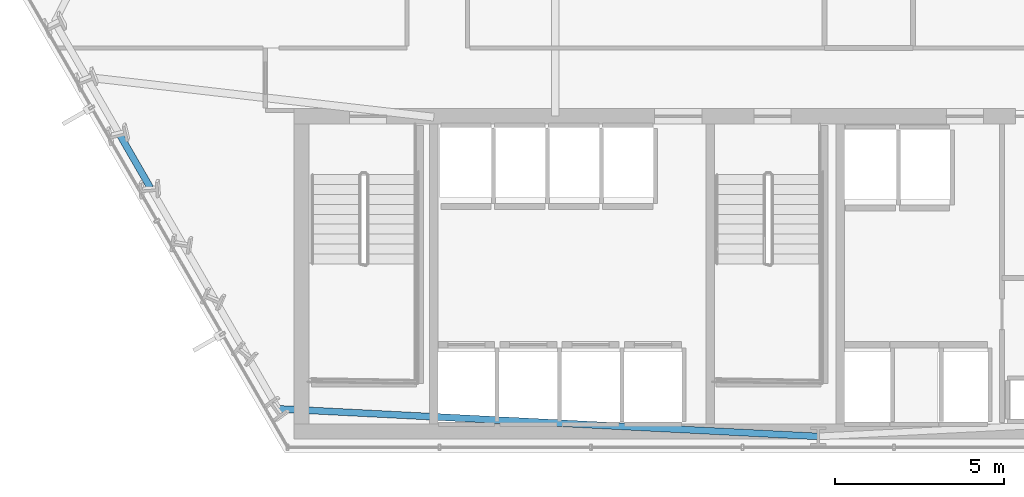
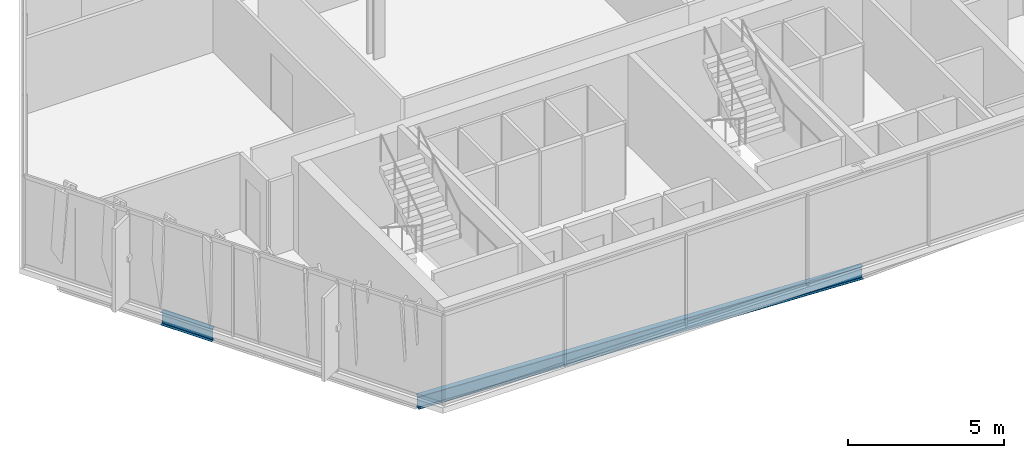
# One storey, part 4 of 32: 2 beams.
"""IFC4 building model written with IfcOpenShell, lengths in metres."""

from ifc_helpers import new_model, si_unit, direction, frame, origin, origin_2d, place, context, subcontext, project, spatial, i_section, extrude, material, material_profile, profile_set, type_object, element, save


model = new_model("IFC4")

# Units and contexts
model_context = context("Model", 3, precision=1e-05, world=origin(), true_north=direction((0.0, 1.0)))
body_context = subcontext(model_context, "Body", "Model", "MODEL_VIEW")
ifc_project = project(units=[si_unit("LENGTHUNIT", "METRE"), si_unit("AREAUNIT", "SQUARE_METRE"), si_unit("VOLUMEUNIT", "CUBIC_METRE"), si_unit("PLANEANGLEUNIT", "RADIAN"), si_unit("MASSUNIT", "GRAM", prefix="KILO")], contexts=[model_context])

# Site, building, storey
site_placement = place(None, origin())
site = spatial("IfcSite", under=ifc_project, at=site_placement, CompositionType="ELEMENT")
building_placement = place(site_placement, origin())
building = spatial("IfcBuilding", under=site, at=building_placement, Name="Ndaravel Arena Tower", CompositionType="ELEMENT")
storey_placement = place(building_placement, frame((0.0, 0.0, 66.39990234375)))
storey = spatial("IfcBuildingStorey", under=building, at=storey_placement, Name="L14", CompositionType="ELEMENT", Elevation=66.39990234375)

# Beams
ifc_material = material(Name="Steel S355", Category="steel")
ifc_material_profile = material_profile(ifc_material, i_section(OverallWidth=0.199951171875, OverallDepth=0.5, WebThickness=0.01025390625, FlangeThickness=0.01611328125, FilletRadius=0.02099609375, at=origin_2d()), Name="IPE 500")
ifc_profile_set = profile_set([ifc_material_profile], Name="Steel S355")
beam_type = type_object("IfcBeamType", Name="BM-SPAN-IPE500", PredefinedType="SPANDREL", material=ifc_profile_set)
beam_1_placement = place(storey_placement, frame((21.244384765625, 14.495849609375, -0.469970703125), z_axis=(0.500064840575, -0.865987964824, 0.0), x_axis=(0.865987964824, 0.500064840575, 0.0)))
element("IfcBeam", 1, at=beam_1_placement, inside=storey, type_object=beam_type, Name="L14 Perimeter Spandrel Beam SP-22", PredefinedType="SPANDREL", context=body_context, shape_type="SweptSolid", body=[
    extrude(i_section(OverallWidth=0.199951171875, OverallDepth=0.5, WebThickness=0.01025390625, FlangeThickness=0.01611328125, FilletRadius=0.02099609375, at=origin_2d()), origin(), (0.0, 0.0, 1.0), 1.892822265625),
])
beam_2_placement = place(storey_placement, frame((25.9765625, 6.299560546875, -0.469970703125), z_axis=(0.998694459714, -0.051082052981, 0.0), x_axis=(0.051082052981, 0.998694459714, 0.0)))
element("IfcBeam", 2, at=beam_2_placement, inside=storey, type_object=beam_type, Name="L14 Perimeter Spandrel Beam SP-27", PredefinedType="SPANDREL", context=body_context, shape_type="SweptSolid", body=[
    extrude(i_section(OverallWidth=0.199951171875, OverallDepth=0.5, WebThickness=0.01025390625, FlangeThickness=0.01611328125, FilletRadius=0.02099609375, at=origin_2d()), origin(), (0.0, 0.0, 1.0), 16.04443359375),
])

save(model, "model.ifc")
